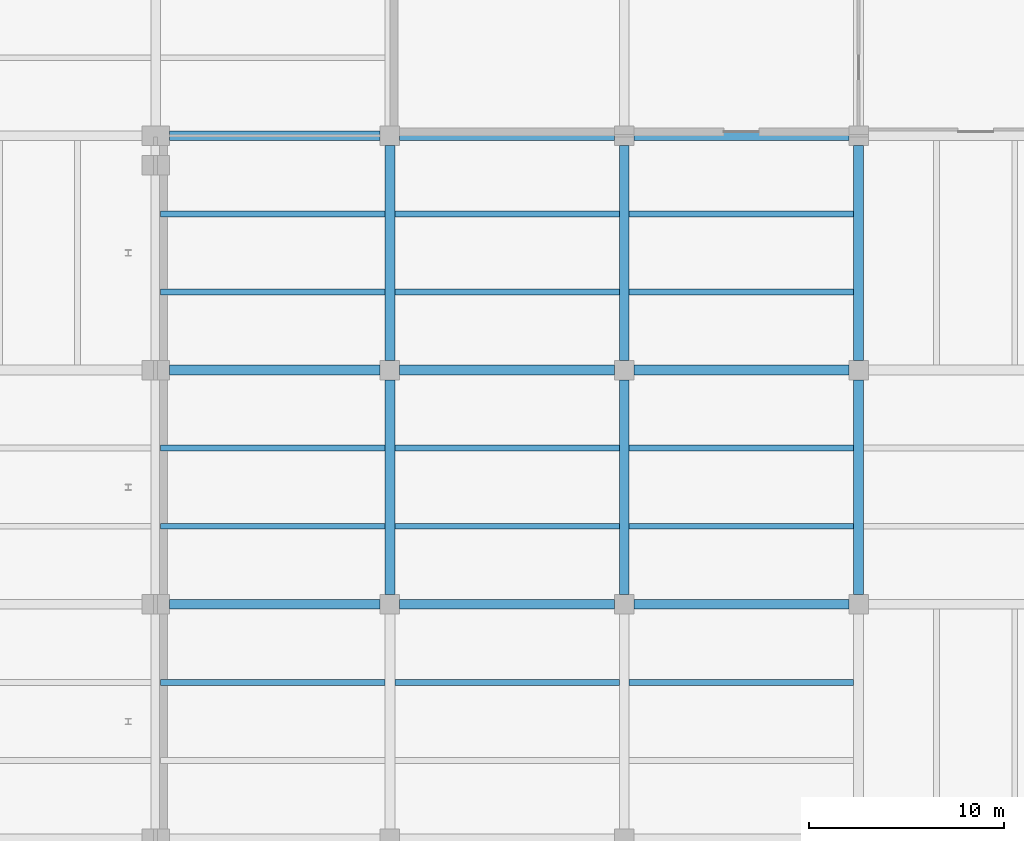
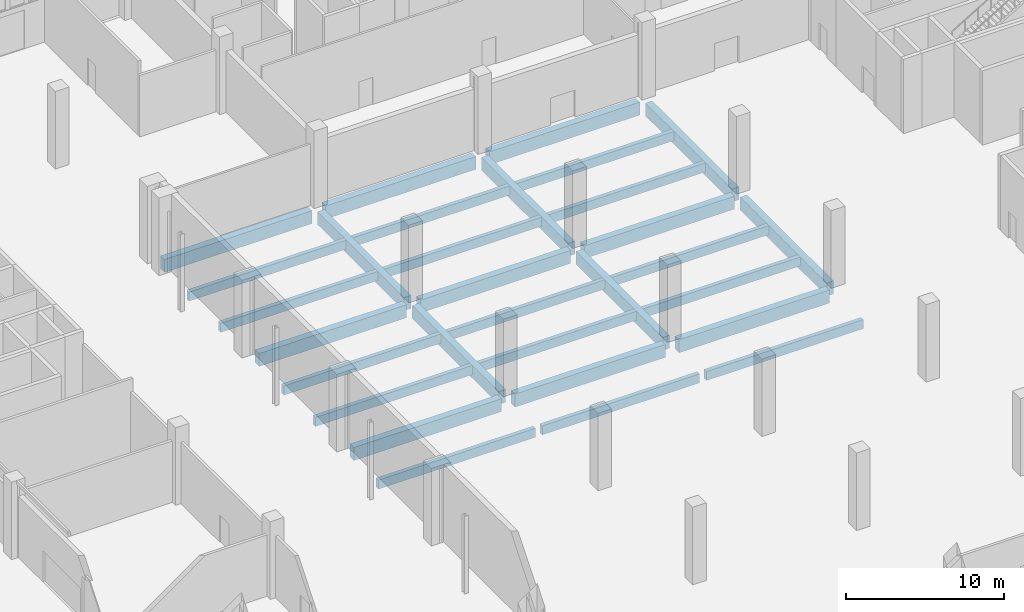
# One storey, part 19 of 59: 30 beams.
"""IFC4 building model written with IfcOpenShell, lengths in metres."""

from ifc_helpers import new_model, si_unit, direction, frame, origin, origin_2d, place, context, subcontext, project, spatial, rectangle, extrude, material, material_profile, profile_set, type_object, element, save


model = new_model("IFC4")

# Units and contexts
model_context = context("Model", 3, precision=1e-05, world=origin(), true_north=direction((0.0, 1.0)))
body_context = subcontext(model_context, "Body", "Model", "MODEL_VIEW")
ifc_project = project(units=[si_unit("LENGTHUNIT", "METRE"), si_unit("AREAUNIT", "SQUARE_METRE"), si_unit("VOLUMEUNIT", "CUBIC_METRE"), si_unit("PLANEANGLEUNIT", "RADIAN"), si_unit("MASSUNIT", "GRAM", prefix="KILO")], contexts=[model_context])

# Site, building, storey
site_placement = place(None, origin())
site = spatial("IfcSite", under=ifc_project, at=site_placement, CompositionType="ELEMENT")
building_placement = place(site_placement, origin())
building = spatial("IfcBuilding", under=site, at=building_placement, Name="Lilac Gate Convention Centre", CompositionType="ELEMENT")
storey_placement = place(building_placement, origin())
storey = spatial("IfcBuildingStorey", under=building, at=storey_placement, Name="L00", CompositionType="ELEMENT", Elevation=0.0)

# Beams
ifc_material = material(Name="Concrete C40", Category="concrete")
ifc_material_profile_1 = material_profile(ifc_material, rectangle(XDim=0.5, YDim=1.0, at=origin_2d()), Name="RC 500x1000")
ifc_profile_set_1 = profile_set([ifc_material_profile_1], Name="Concrete C40")
beam_type_1 = type_object("IfcBeamType", Name="Primary beam 500x1000 C40", PredefinedType="BEAM", material=ifc_profile_set_1)
beam_1_placement = place(storey_placement, frame((30.699951171875, 198.0, -0.800048828125), z_axis=(1.0, 0.0, 0.0), x_axis=(0.0, 1.0, 0.0)))
element("IfcBeam", 1, at=beam_1_placement, inside=storey, type_object=beam_type_1, Name="RB1 L00 3/Q-4/Q", PredefinedType="BEAM", context=body_context, shape_type="SweptSolid", body=[
    extrude(rectangle(XDim=0.5, YDim=1.0, at=origin_2d()), origin(), (0.0, 0.0, 1.0), 10.800048828125),
])
for number, where, z_axis, x_axis, name in (
    (2, (42.5, 198.0, -0.800048828125), (1.0, 0.0, 0.0), (0.0, 1.0, 0.0), "RB1 L00 4/Q-5/Q"),
    (3, (54.5, 198.0, -0.800048828125), (1.0, 0.0, 0.0), (0.0, 1.0, 0.0), "RB1 L00 5/Q-6/Q"),
):
    element("IfcBeam", number, at=place(storey_placement, frame(where, z_axis=z_axis, x_axis=x_axis)), inside=storey, type_object=beam_type_1, Name=name, PredefinedType="BEAM", context=body_context, shape_type="SweptSolid", body=[
        extrude(rectangle(XDim=0.5, YDim=1.0, at=origin_2d()), origin(), (0.0, 0.0, 1.0), 11.0),
    ])
beam_2_placement = place(storey_placement, frame((30.699951171875, 210.0, -0.800048828125), z_axis=(1.0, 0.0, 0.0), x_axis=(0.0, 1.0, 0.0)))
element("IfcBeam", 4, at=beam_2_placement, inside=storey, type_object=beam_type_1, Name="RB1 L00 3/R-4/R", PredefinedType="BEAM", context=body_context, shape_type="SweptSolid", body=[
    extrude(rectangle(XDim=0.5, YDim=1.0, at=origin_2d()), origin(), (0.0, 0.0, 1.0), 10.800048828125),
])
for number, where, z_axis, x_axis, name in (
    (5, (42.5, 210.0, -0.800048828125), (1.0, 0.0, 0.0), (0.0, 1.0, 0.0), "RB1 L00 4/R-5/R"),
    (6, (54.5, 210.0, -0.800048828125), (1.0, 0.0, 0.0), (0.0, 1.0, 0.0), "RB1 L00 5/R-6/R"),
):
    element("IfcBeam", number, at=place(storey_placement, frame(where, z_axis=z_axis, x_axis=x_axis)), inside=storey, type_object=beam_type_1, Name=name, PredefinedType="BEAM", context=body_context, shape_type="SweptSolid", body=[
        extrude(rectangle(XDim=0.5, YDim=1.0, at=origin_2d()), origin(), (0.0, 0.0, 1.0), 11.0),
    ])
beam_3_placement = place(storey_placement, frame((30.699951171875, 222.0, -0.800048828125), z_axis=(1.0, 0.0, 0.0), x_axis=(0.0, 1.0, 0.0)))
element("IfcBeam", 7, at=beam_3_placement, inside=storey, type_object=beam_type_1, Name="RB1 L00 3/S-4/S", PredefinedType="BEAM", context=body_context, shape_type="SweptSolid", body=[
    extrude(rectangle(XDim=0.5, YDim=1.0, at=origin_2d()), origin(), (0.0, 0.0, 1.0), 10.800048828125),
])
for number, where, z_axis, x_axis, name in (
    (8, (42.5, 222.0, -0.800048828125), (1.0, 0.0, 0.0), (0.0, 1.0, 0.0), "RB1 L00 4/S-5/S"),
    (9, (54.5, 222.0, -0.800048828125), (1.0, 0.0, 0.0), (0.0, 1.0, 0.0), "RB1 L00 5/S-6/S"),
    (10, (42.0, 198.5, -0.800048828125), (0.0, 1.0, 0.0), (-1.0, 0.0, 0.0), "RB1 L00 4/Q-4/R"),
    (11, (42.0, 210.5, -0.800048828125), (0.0, 1.0, 0.0), (-1.0, 0.0, 0.0), "RB1 L00 4/R-4/S"),
    (12, (54.0, 198.5, -0.800048828125), (0.0, 1.0, 0.0), (-1.0, 0.0, 0.0), "RB1 L00 5/Q-5/R"),
    (13, (54.0, 210.5, -0.800048828125), (0.0, 1.0, 0.0), (-1.0, 0.0, 0.0), "RB1 L00 5/R-5/S"),
    (14, (66.0, 198.5, -0.800048828125), (0.0, 1.0, 0.0), (-1.0, 0.0, 0.0), "RB1 L00 6/Q-6/R"),
    (15, (66.0, 210.5, -0.800048828125), (0.0, 1.0, 0.0), (-1.0, 0.0, 0.0), "RB1 L00 6/R-6/S"),
):
    element("IfcBeam", number, at=place(storey_placement, frame(where, z_axis=z_axis, x_axis=x_axis)), inside=storey, type_object=beam_type_1, Name=name, PredefinedType="BEAM", context=body_context, shape_type="SweptSolid", body=[
        extrude(rectangle(XDim=0.5, YDim=1.0, at=origin_2d()), origin(), (0.0, 0.0, 1.0), 11.0),
    ])
ifc_material_profile_2 = material_profile(ifc_material, rectangle(XDim=0.300048828125, YDim=0.699951171875, at=origin_2d()), Name="RC 300x700")
ifc_profile_set_2 = profile_set([ifc_material_profile_2], Name="Concrete C40")
beam_type_2 = type_object("IfcBeamType", Name="Secondary beam 300x700 C40", PredefinedType="BEAM", material=ifc_profile_set_2)
for number, where, z_axis, x_axis, name in (
    (16, (30.25, 194.0, -0.64990234375), (1.0, 0.0, 0.0), (0.0, 1.0, 0.0), "RB2 L00 bay 3/P"),
    (17, (30.25, 202.0, -0.64990234375), (1.0, 0.0, 0.0), (0.0, 1.0, 0.0), "RB2 L00 bay 3/Q"),
    (18, (30.25, 206.0, -0.64990234375), (1.0, 0.0, 0.0), (0.0, 1.0, 0.0), "RB2 L00 bay 3/Q"),
    (19, (30.25, 214.0, -0.64990234375), (1.0, 0.0, 0.0), (0.0, 1.0, 0.0), "RB2 L00 bay 3/R"),
    (20, (30.25, 218.0, -0.64990234375), (1.0, 0.0, 0.0), (0.0, 1.0, 0.0), "RB2 L00 bay 3/R"),
    (21, (42.25, 194.0, -0.64990234375), (1.0, 0.0, 0.0), (0.0, 1.0, 0.0), "RB2 L00 bay 4/P"),
    (22, (42.25, 202.0, -0.64990234375), (1.0, 0.0, 0.0), (0.0, 1.0, 0.0), "RB2 L00 bay 4/Q"),
    (23, (42.25, 206.0, -0.64990234375), (1.0, 0.0, 0.0), (0.0, 1.0, 0.0), "RB2 L00 bay 4/Q"),
    (24, (42.25, 214.0, -0.64990234375), (1.0, 0.0, 0.0), (0.0, 1.0, 0.0), "RB2 L00 bay 4/R"),
    (25, (42.25, 218.0, -0.64990234375), (1.0, 0.0, 0.0), (0.0, 1.0, 0.0), "RB2 L00 bay 4/R"),
    (26, (54.25, 194.0, -0.64990234375), (1.0, 0.0, 0.0), (0.0, 1.0, 0.0), "RB2 L00 bay 5/P"),
    (27, (54.25, 202.0, -0.64990234375), (1.0, 0.0, 0.0), (0.0, 1.0, 0.0), "RB2 L00 bay 5/Q"),
    (28, (54.25, 206.0, -0.64990234375), (1.0, 0.0, 0.0), (0.0, 1.0, 0.0), "RB2 L00 bay 5/Q"),
    (29, (54.25, 214.0, -0.64990234375), (1.0, 0.0, 0.0), (0.0, 1.0, 0.0), "RB2 L00 bay 5/R"),
    (30, (54.25, 218.0, -0.64990234375), (1.0, 0.0, 0.0), (0.0, 1.0, 0.0), "RB2 L00 bay 5/R"),
):
    element("IfcBeam", number, at=place(storey_placement, frame(where, z_axis=z_axis, x_axis=x_axis)), inside=storey, type_object=beam_type_2, Name=name, PredefinedType="BEAM", context=body_context, shape_type="SweptSolid", body=[
        extrude(rectangle(XDim=0.300048828125, YDim=0.699951171875, at=origin_2d()), origin(), (0.0, 0.0, 1.0), 11.5),
    ])

save(model, "model.ifc")
